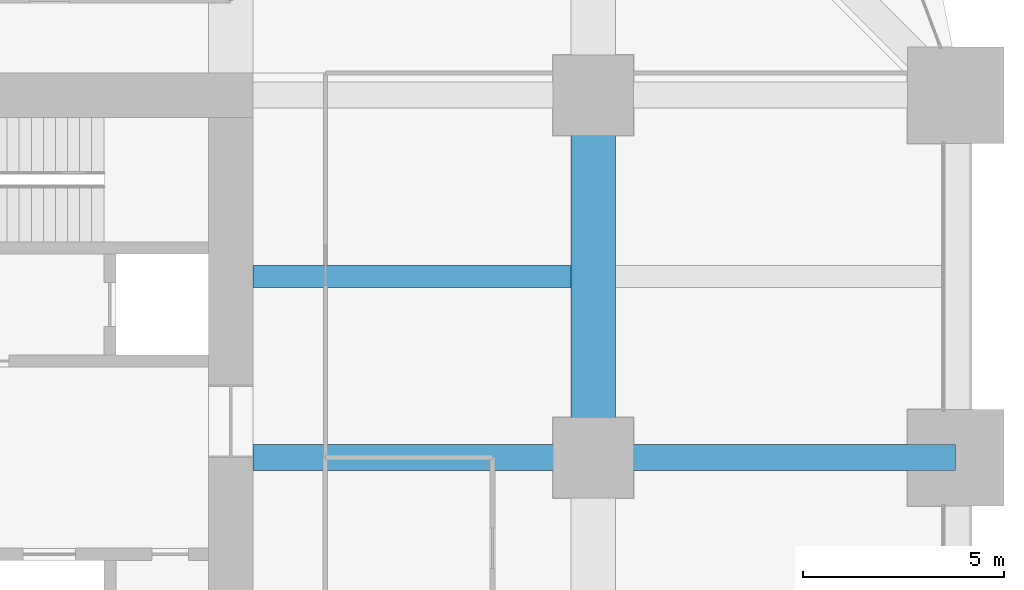
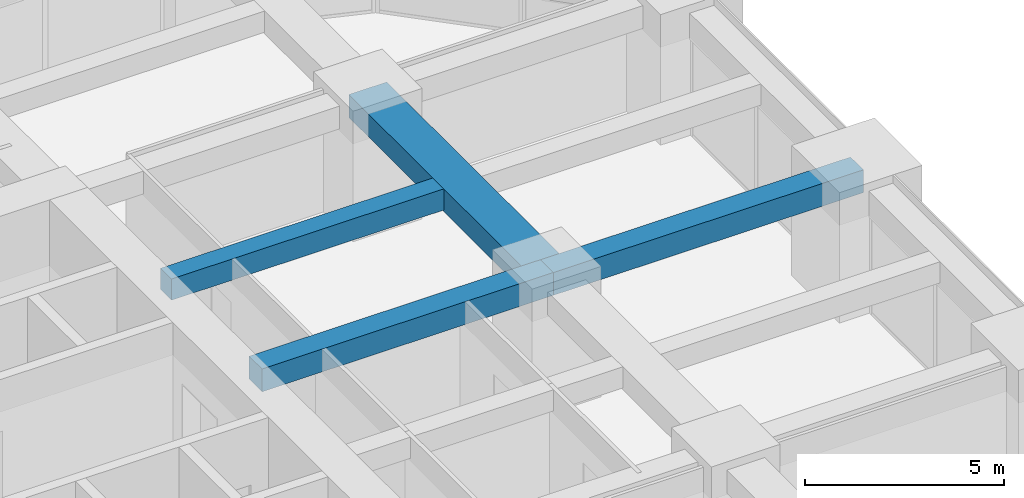
# One storey, part 22 of 39: 4 beams.
"""IFC4 building model written with IfcOpenShell, lengths in metres."""

from ifc_helpers import new_model, si_unit, direction, frame, origin, origin_2d, place, context, subcontext, project, spatial, rectangle, extrude, material, material_profile, profile_set, type_object, element, save


model = new_model("IFC4")

# Units and contexts
model_context = context("Model", 3, precision=1e-05, world=origin(), true_north=direction((0.0, 1.0)))
body_context = subcontext(model_context, "Body", "Model", "MODEL_VIEW")
ifc_project = project(units=[si_unit("LENGTHUNIT", "METRE"), si_unit("AREAUNIT", "SQUARE_METRE"), si_unit("VOLUMEUNIT", "CUBIC_METRE"), si_unit("PLANEANGLEUNIT", "RADIAN"), si_unit("MASSUNIT", "GRAM", prefix="KILO")], contexts=[model_context])

# Site, building, storey
site_placement = place(None, origin())
site = spatial("IfcSite", under=ifc_project, at=site_placement, CompositionType="ELEMENT")
building_placement = place(site_placement, origin())
building = spatial("IfcBuilding", under=site, at=building_placement, Name="Zorevar Civic Tower", CompositionType="ELEMENT")
storey_placement = place(building_placement, frame((0.0, 0.0, 121.0)))
storey = spatial("IfcBuildingStorey", under=building, at=storey_placement, Name="L29", CompositionType="ELEMENT", Elevation=121.0)

# Beams
ifc_material_1 = material(Name="Concrete C50/60", Category="concrete")
ifc_material_profile_1 = material_profile(ifc_material_1, rectangle(XDim=1.10009765625, YDim=0.699951171875, at=origin_2d()), Name="RC 1100x700")
ifc_profile_set_1 = profile_set([ifc_material_profile_1], Name="Concrete C50/60")
beam_type_1 = type_object("IfcBeamType", Name="Beam RC 1100x700", PredefinedType="BEAM", material=ifc_profile_set_1)
beam_1_placement = place(storey_placement, frame((54.0, 27.0, 3.39990234375), z_axis=(0.0, 1.0, 0.0), x_axis=(-1.0, 0.0, 0.0)))
element("IfcBeam", 1, at=beam_1_placement, inside=storey, type_object=beam_type_1, Name="Girder L30", PredefinedType="BEAM", context=body_context, shape_type="SweptSolid", body=[
    extrude(rectangle(XDim=1.10009765625, YDim=0.699951171875, at=origin_2d()), origin(), (0.0, 0.0, 1.0), 9.0),
])
ifc_material_2 = material(Name="Concrete C50/60", Category="concrete")
ifc_material_profile_2 = material_profile(ifc_material_2, rectangle(XDim=0.550048828125, YDim=0.64990234375, at=origin_2d()), Name="RC 550x650")
ifc_profile_set_2 = profile_set([ifc_material_profile_2], Name="Concrete C50/60")
beam_type_2 = type_object("IfcBeamType", Name="Beam RC 550x650", PredefinedType="BEAM", material=ifc_profile_set_2)
beam_2_placement = place(storey_placement, frame((45.550048828125, 31.5, 3.425048828125), z_axis=(1.0, 0.0, 0.0), x_axis=(0.0, 1.0, 0.0)))
element("IfcBeam", 2, at=beam_2_placement, inside=storey, type_object=beam_type_2, Name="Secondary beam L30", PredefinedType="BEAM", context=body_context, shape_type="SweptSolid", body=[
    extrude(rectangle(XDim=0.550048828125, YDim=0.64990234375, at=origin_2d()), origin(), (0.0, 0.0, 1.0), 7.89990234375),
])
ifc_material_3 = material(Name="Concrete C50/60", Category="concrete")
ifc_material_profile_3 = material_profile(ifc_material_3, rectangle(XDim=0.64990234375, YDim=0.699951171875, at=origin_2d()), Name="RC 650x700")
ifc_profile_set_3 = profile_set([ifc_material_profile_3], Name="Concrete C50/60")
beam_type_3 = type_object("IfcBeamType", Name="Beam RC 650x700", PredefinedType="BEAM", material=ifc_profile_set_3)
beam_3_placement = place(storey_placement, frame((45.550048828125, 27.0, 3.39990234375), z_axis=(1.0, 0.0, 0.0), x_axis=(0.0, 1.0, 0.0)))
element("IfcBeam", 3, at=beam_3_placement, inside=storey, type_object=beam_type_3, Name="Girder L30", PredefinedType="BEAM", context=body_context, shape_type="SweptSolid", body=[
    extrude(rectangle(XDim=0.64990234375, YDim=0.699951171875, at=origin_2d()), origin(), (0.0, 0.0, 1.0), 8.449951171875),
])
beam_4_placement = place(storey_placement, frame((54.0, 27.0, 3.39990234375), z_axis=(1.0, 0.0, 0.0), x_axis=(0.0, 1.0, 0.0)))
element("IfcBeam", 4, at=beam_4_placement, inside=storey, type_object=beam_type_3, Name="Girder L30", PredefinedType="BEAM", context=body_context, shape_type="SweptSolid", body=[
    extrude(rectangle(XDim=0.64990234375, YDim=0.699951171875, at=origin_2d()), origin(), (0.0, 0.0, 1.0), 9.0),
])

save(model, "model.ifc")
